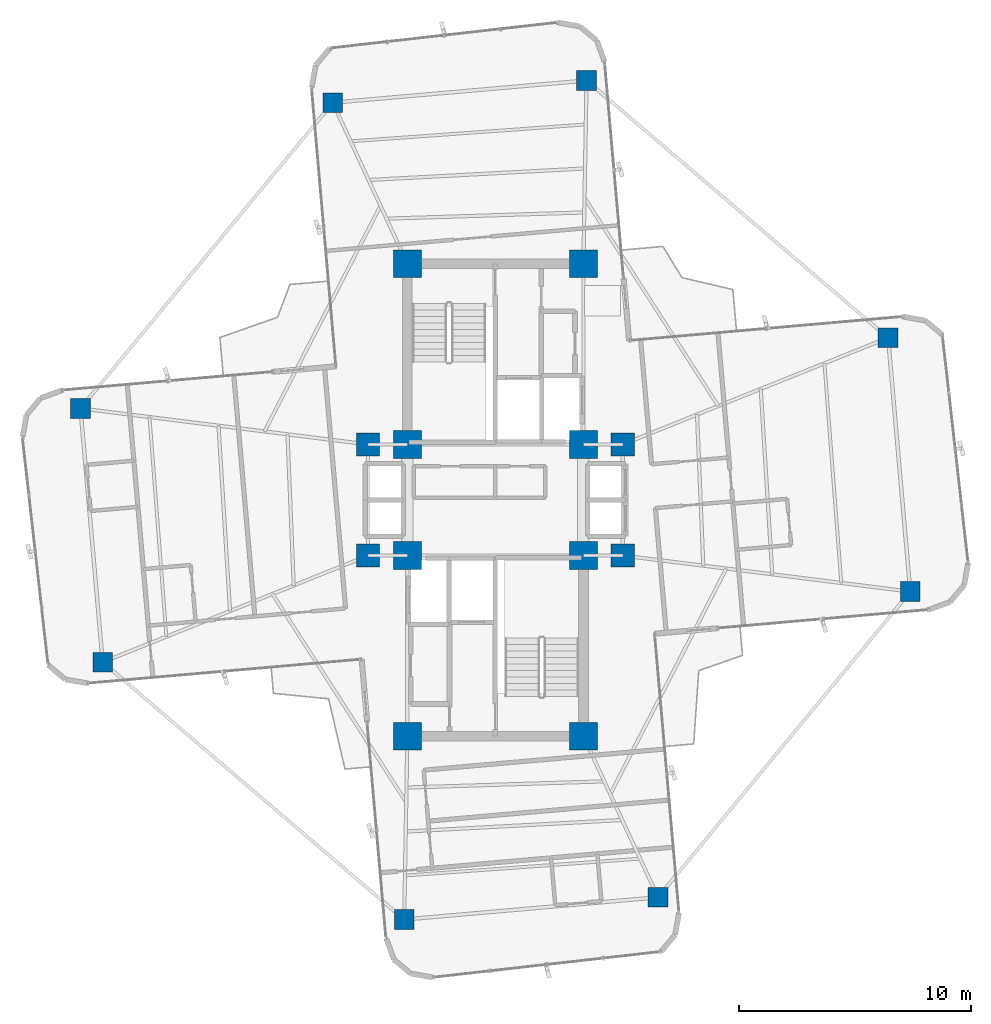
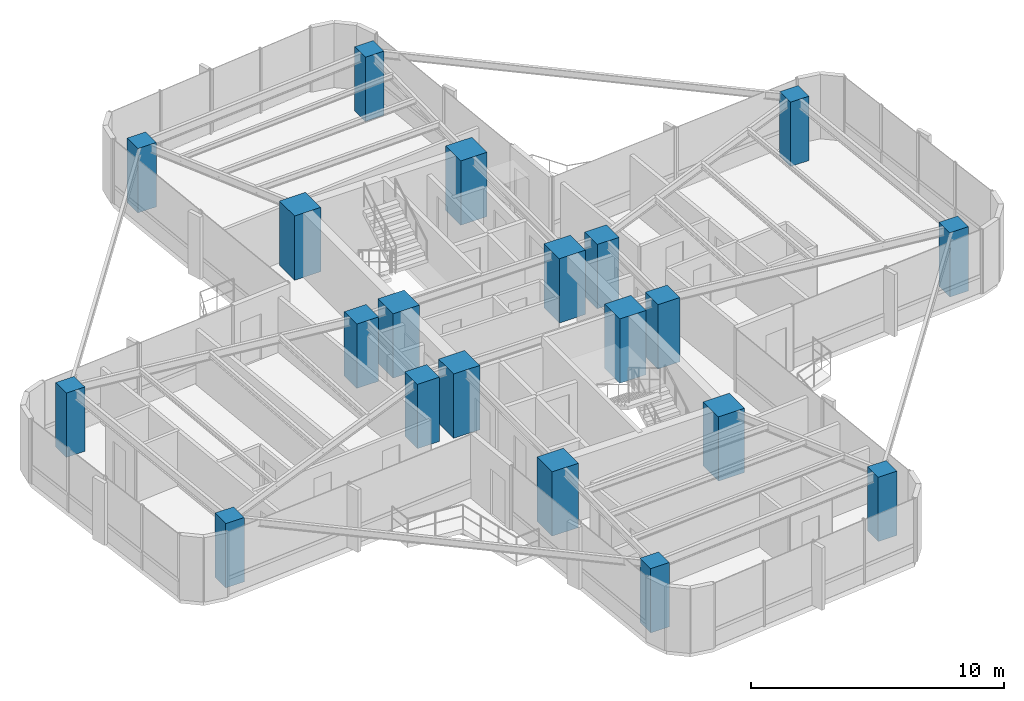
# One storey, part 1 of 24: 20 columns.
"""IFC4 building model written with IfcOpenShell, lengths in metres."""

import ifcopenshell
import ifcopenshell.guid

model = None  # the IFC model being written
_history = None  # IfcOwnerHistory: only IFC2X3 demands one
_inside = {}  # id of a spatial element -> (the spatial element, [elements in it])
_under = {}  # id of a project, library or spatial element -> (it, [spatial elements below it])
_declared = {}  # id of a project -> (the project, [libraries it declares])
_typed = {}  # id of a type object -> (the type object, [elements of that type])
_made_of = {}  # id of a material, layer set ... -> (it, [elements and type objects made of it])


def new_model(schema):
    """Start an empty IFC model of exactly this schema.

    Asked for "IFC4X3", IfcOpenShell would pick the latest addendum, in which some entities
    have other attributes; the version numbers below select the first issue.
    IFC2X3 requires an IfcOwnerHistory on every rooted entity: one is made here for all.
    """
    global model, _history
    if schema == "IFC4X3":
        model = ifcopenshell.file(schema_version=(4, 3, 0, 0))
    else:
        model = ifcopenshell.file(schema=schema)
    _inside.clear()
    _under.clear()
    _declared.clear()
    _typed.clear()
    _made_of.clear()
    _history = None
    if model.schema == "IFC2X3":
        org = make("IfcOrganization", Name="unknown")
        user = make(
            "IfcPersonAndOrganization",
            ThePerson=make("IfcPerson", FamilyName="unknown"),
            TheOrganization=org,
        )
        app = make(
            "IfcApplication",
            ApplicationDeveloper=org,
            Version="unknown",
            ApplicationFullName="unknown",
            ApplicationIdentifier="unknown",
        )
        _history = make(
            "IfcOwnerHistory",
            OwningUser=user,
            OwningApplication=app,
            ChangeAction="ADDED",
            CreationDate=0,
        )
    return model


def make(cls, **values):
    """One entity of the class cls with the attributes given. An attribute that is None is left unset."""
    return model.create_entity(
        cls, **{name: value for name, value in values.items() if value is not None}
    )


def rooted(cls, **values):
    """An entity with a GlobalId (a new one), such as an element, a storey or a relation."""
    return make(cls, GlobalId=ifcopenshell.guid.new(), OwnerHistory=_history, **values)


def si_unit(unit_type, name, prefix=None):
    """IfcSIUnit, for example si_unit("LENGTHUNIT", "METRE", prefix="MILLI")."""
    return make("IfcSIUnit", UnitType=unit_type, Prefix=prefix, Name=name)


def assignment(units):
    """IfcUnitAssignment: the units of a project."""
    return None if units is None else make("IfcUnitAssignment", Units=units)


def point(xyz):
    """IfcCartesianPoint."""
    return None if xyz is None else make("IfcCartesianPoint", Coordinates=xyz)


def direction(xyz):
    """IfcDirection."""
    return None if xyz is None else make("IfcDirection", DirectionRatios=xyz)


def frame(location, z_axis=None, x_axis=None):
    """IfcAxis2Placement3D, a coordinate frame: its origin and axes. An axis left out is left unset."""
    return make(
        "IfcAxis2Placement3D",
        Location=point(location),
        Axis=direction(z_axis),
        RefDirection=direction(x_axis),
    )


def frame_2d(location, x_axis=None):
    """IfcAxis2Placement2D, a coordinate frame in the plane: its origin and x axis."""
    return make(
        "IfcAxis2Placement2D", Location=point(location), RefDirection=direction(x_axis)
    )


def origin():
    """The frame at (0, 0, 0) with its axes left unset."""
    return frame((0.0, 0.0, 0.0))


def origin_2d():
    """The frame at (0, 0) in the plane with its x axis left unset."""
    return frame_2d((0.0, 0.0))


def place(relative_to, where):
    """IfcLocalPlacement: puts the frame where relative to a parent placement (None: the world)."""
    return make(
        "IfcLocalPlacement", PlacementRelTo=relative_to, RelativePlacement=where
    )


def context(
    kind, dimensions, precision=None, world=None, true_north=None, identifier=None
):
    """IfcGeometricRepresentationContext, for example the 3D "Model" context."""
    return make(
        "IfcGeometricRepresentationContext",
        ContextIdentifier=identifier,
        ContextType=kind,
        CoordinateSpaceDimension=dimensions,
        Precision=precision,
        WorldCoordinateSystem=world,
        TrueNorth=true_north,
    )


def subcontext(parent, identifier, kind, view, scale=None):
    """IfcGeometricRepresentationSubContext, for example "Body" below "Model"."""
    return make(
        "IfcGeometricRepresentationSubContext",
        ContextIdentifier=identifier,
        ContextType=kind,
        ParentContext=parent,
        TargetScale=scale,
        TargetView=view,
    )


def project(units=None, contexts=None):
    """IfcProject with its units and contexts."""
    return rooted(
        "IfcProject",
        Name="project",
        RepresentationContexts=contexts,
        UnitsInContext=assignment(units),
    )


def spatial(cls, under=None, at=None, **own):
    """A site, building, storey or space (cls), placed at a placement, below another one or the project."""
    s = rooted(cls, ObjectPlacement=at, **own)
    if under is not None:
        _under.setdefault(under.id(), (under, []))[1].append(s)
    return s


def profile(cls, at=None, kind="AREA", **sizes):
    """A parametric profile (cls). Its sizes go by their IFC names, for example OverallWidth=200.0."""
    return make(cls, ProfileType=kind, Position=at, **sizes)


def rectangle(**sizes):
    """IfcRectangleProfileDef."""
    return profile("IfcRectangleProfileDef", **sizes)


def extrude(swept, where, along, depth):
    """IfcExtrudedAreaSolid: the profile swept, set in the frame where, extruded along a direction by depth."""
    return make(
        "IfcExtrudedAreaSolid",
        SweptArea=swept,
        Position=where,
        ExtrudedDirection=direction(along),
        Depth=depth,
    )


def shape(context_of_items, identifier, shape_type, items):
    """IfcShapeRepresentation: the items that make up one representation, for example the "Body"."""
    return make(
        "IfcShapeRepresentation",
        ContextOfItems=context_of_items,
        RepresentationIdentifier=identifier,
        RepresentationType=shape_type,
        Items=items,
    )


def source(mapping_origin, context_of_items, identifier, shape_type, items):
    """IfcRepresentationMap: a shape defined once, which mapped items show again and again."""
    return make(
        "IfcRepresentationMap",
        MappingOrigin=mapping_origin,
        MappedRepresentation=shape(context_of_items, identifier, shape_type, items),
    )


def transform(
    local_origin,
    x_axis=None,
    y_axis=None,
    z_axis=None,
    scale=None,
    scale2=None,
    scale3=None,
    uniform=True,
):
    """IfcCartesianTransformationOperator3D, or its non-uniform kind. x_axis, y_axis, z_axis: its Axis1, 2, 3."""
    if uniform:
        return make(
            "IfcCartesianTransformationOperator3D",
            Axis1=direction(x_axis),
            Axis2=direction(y_axis),
            LocalOrigin=point(local_origin),
            Scale=scale,
            Axis3=direction(z_axis),
        )
    return make(
        "IfcCartesianTransformationOperator3DnonUniform",
        Axis1=direction(x_axis),
        Axis2=direction(y_axis),
        LocalOrigin=point(local_origin),
        Scale=scale,
        Axis3=direction(z_axis),
        Scale2=scale2,
        Scale3=scale3,
    )


def mapped(mapping_source, mapping_target):
    """IfcMappedItem: shows the shape of a source again, moved by a transform."""
    return make(
        "IfcMappedItem", MappingSource=mapping_source, MappingTarget=mapping_target
    )


def material(Name=None, Category=None):
    """IfcMaterial."""
    return make("IfcMaterial", Name=Name, Category=Category)


def material_profile(
    of_material, cross_section, Name=None, Category=None, Priority=None
):
    """IfcMaterialProfile: a cross section and its material."""
    return make(
        "IfcMaterialProfile",
        Name=Name,
        Material=of_material,
        Profile=cross_section,
        Priority=Priority,
        Category=Category,
    )


def profile_set(profiles, Name=None, composite=None):
    """IfcMaterialProfileSet."""
    return make(
        "IfcMaterialProfileSet",
        Name=Name,
        MaterialProfiles=profiles,
        CompositeProfile=composite,
    )


def made_of(thing, what):
    """Note that an element or type object is made of a material, layer set ...; save() writes the relation."""
    if what is not None:
        _made_of.setdefault(what.id(), (what, []))[1].append(thing)
    return thing


def type_object(cls, material=None, **own):
    """A type object (cls), such as IfcWallType, which elements share."""
    return made_of(rooted(cls, **own), material)


def element(
    cls,
    number,
    at=None,
    inside=None,
    cuts=None,
    type_object=None,
    material=None,
    context=None,
    identifier="Body",
    shape_type=None,
    held_by="IfcProductDefinitionShape",
    body=None,
    shapes=None,
    **own,
):
    """One element of the class cls, such as IfcWall. Its Tag is "e" and its number.

    at: its placement. inside: the storey or other place that contains it. cuts: it is an
    opening in that element (IfcRelVoidsElement). A single representation is given by context,
    identifier, shape_type and body (its items); several are given by shapes. held_by: the class
    of the entity that holds the representations. save() writes the other relations.
    """
    e = rooted(cls, Tag="e%d" % number, ObjectPlacement=at, **own)
    if body is not None:
        shapes = [shape(context, identifier, shape_type, body)]
    if shapes is not None:
        e.Representation = make(held_by, Representations=shapes)
    if inside is not None:
        _inside.setdefault(inside.id(), (inside, []))[1].append(e)
    if cuts is not None:
        rooted(
            "IfcRelVoidsElement", RelatingBuildingElement=cuts, RelatedOpeningElement=e
        )
    if type_object is not None:
        _typed.setdefault(type_object.id(), (type_object, []))[1].append(e)
    return made_of(e, material)


def aggregate(whole, parts):
    """IfcRelAggregates: a whole, such as a stair, and the parts it consists of."""
    return rooted("IfcRelAggregates", RelatingObject=whole, RelatedObjects=parts)


def save(model, path):
    """Write the relations noted so far, then the file.

    IfcRelAggregates (storeys below a building ...), IfcRelContainedInSpatialStructure (elements
    in a storey), IfcRelDefinesByType, IfcRelAssociatesMaterial and IfcRelDeclares: one each for
    every whole, place, type object, material and project.
    """
    for whole, parts in _under.values():
        aggregate(whole, parts)
    for where, things in _inside.values():
        rooted(
            "IfcRelContainedInSpatialStructure",
            RelatedElements=things,
            RelatingStructure=where,
        )
    for kind, things in _typed.values():
        rooted("IfcRelDefinesByType", RelatedObjects=things, RelatingType=kind)
    for what, things in _made_of.values():
        rooted("IfcRelAssociatesMaterial", RelatedObjects=things, RelatingMaterial=what)
    for by, libraries in _declared.values():
        rooted("IfcRelDeclares", RelatingContext=by, RelatedDefinitions=libraries)
    model.write(path)


model = new_model("IFC4")

# Units and contexts
model_context = context("Model", 3, precision=1e-05, world=origin(), true_north=direction((0.0, 1.0)))
body_context = subcontext(model_context, "Body", "Model", "MODEL_VIEW")
ifc_project = project(units=[si_unit("LENGTHUNIT", "METRE"), si_unit("AREAUNIT", "SQUARE_METRE"), si_unit("VOLUMEUNIT", "CUBIC_METRE"), si_unit("PLANEANGLEUNIT", "RADIAN"), si_unit("MASSUNIT", "GRAM", prefix="KILO")], contexts=[model_context])

# Site, building, storey
site_placement = place(None, origin())
site = spatial("IfcSite", under=ifc_project, at=site_placement, CompositionType="ELEMENT")
building_placement = place(site_placement, origin())
building = spatial("IfcBuilding", under=site, at=building_placement, Name="Sahyath Konkavel Grand Hotel", CompositionType="ELEMENT")
storey_placement = place(building_placement, frame((0.0, 0.0, 147.25)))
storey = spatial("IfcBuildingStorey", under=building, at=storey_placement, Name="L40", CompositionType="ELEMENT", Elevation=147.25)

# Columns
ifc_material_1 = material(Name="Concrete C50/60", Category="concrete")
ifc_material_profile_1 = material_profile(ifc_material_1, rectangle(XDim=1.199951171875, YDim=1.199951171875, at=origin_2d()), Name="RC 1200x1200")
ifc_profile_set_1 = profile_set([ifc_material_profile_1], Name="Concrete C50/60")
column_type_1 = type_object("IfcColumnType", Name="COL-RC1200", PredefinedType="COLUMN", material=ifc_profile_set_1)
shared_shape_1 = source(origin(), body_context, "Body", "SweptSolid", [
    extrude(rectangle(XDim=1.199951171875, YDim=1.199951171875, at=origin_2d()), origin(), (0.0, 0.0, 1.0), 3.110107421875),
])
for number, where, z_axis, x_axis, name in (
    (1, (-3.800048828125, 2.39990234375, 0.0), (0.0, 0.0, 1.0), (1.0, 0.0, 0.0), "L40 Core Boundary Column NC-SW"),
    (2, (3.800048828125, 2.39990234375, 0.0), (0.0, 0.0, 1.0), (1.0, 0.0, 0.0), "L40 Core Boundary Column NC-SE"),
    (3, (-3.800048828125, 10.199951171875, 0.0), (0.0, 0.0, 1.0), (1.0, 0.0, 0.0), "L40 Core Boundary Column NC-NW"),
    (4, (3.800048828125, 10.199951171875, 0.0), (0.0, 0.0, 1.0), (1.0, 0.0, 0.0), "L40 Core Boundary Column NC-NE"),
    (5, (-3.800048828125, -2.39990234375, 0.0), (0.0, 0.0, 1.0), (1.0, 0.0, 0.0), "L40 Core Boundary Column SC-NW"),
    (6, (3.800048828125, -2.39990234375, 0.0), (0.0, 0.0, 1.0), (1.0, 0.0, 0.0), "L40 Core Boundary Column SC-NE"),
    (7, (-3.800048828125, -10.199951171875, 0.0), (0.0, 0.0, 1.0), (1.0, 0.0, 0.0), "L40 Core Boundary Column SC-SW"),
    (8, (3.800048828125, -10.199951171875, 0.0), (0.0, 0.0, 1.0), (1.0, 0.0, 0.0), "L40 Core Boundary Column SC-SE"),
):
    element("IfcColumn", number, at=place(storey_placement, frame(where, z_axis=z_axis, x_axis=x_axis)), inside=storey, type_object=column_type_1, Name=name, PredefinedType="COLUMN", context=body_context, shape_type="MappedRepresentation", body=[
        mapped(shared_shape_1, transform((0.0, 0.0, 0.0), scale=1.0)),
    ])
ifc_material_profile_2 = material_profile(ifc_material_1, rectangle(XDim=1.0, YDim=1.0, at=origin_2d()), Name="RC 1000x1000")
ifc_profile_set_2 = profile_set([ifc_material_profile_2], Name="Concrete C50/60")
column_type_2 = type_object("IfcColumnType", Name="COL-RC1000", PredefinedType="COLUMN", material=ifc_profile_set_2)
shared_shape_2 = source(origin(), body_context, "Body", "SweptSolid", [
    extrude(rectangle(XDim=1.0, YDim=1.0, at=origin_2d()), origin(), (0.0, 0.0, 1.0), 3.110107421875),
])
for number, where, z_axis, x_axis, name in (
    (9, (5.5, 2.39990234375, 0.0), (0.0, 0.0, 1.0), (1.0, 0.0, 0.0), "L40 Central Spine Column HB-NE"),
    (10, (-5.5, 2.39990234375, 0.0), (0.0, 0.0, 1.0), (1.0, 0.0, 0.0), "L40 Central Spine Column HB-NW"),
    (11, (5.5, -2.39990234375, 0.0), (0.0, 0.0, 1.0), (1.0, 0.0, 0.0), "L40 Central Spine Column HB-SE"),
    (12, (-5.5, -2.39990234375, 0.0), (0.0, 0.0, 1.0), (1.0, 0.0, 0.0), "L40 Central Spine Column HB-SW"),
):
    element("IfcColumn", number, at=place(storey_placement, frame(where, z_axis=z_axis, x_axis=x_axis)), inside=storey, type_object=column_type_2, Name=name, PredefinedType="COLUMN", context=body_context, shape_type="MappedRepresentation", body=[
        mapped(shared_shape_2, transform((0.0, 0.0, 0.0), scale=1.0)),
    ])
ifc_material_2 = material(Name="Concrete C40/50", Category="concrete")
ifc_material_profile_3 = material_profile(ifc_material_2, rectangle(XDim=0.85009765625, YDim=0.85009765625, at=origin_2d()), Name="RC 850x850")
ifc_profile_set_3 = profile_set([ifc_material_profile_3], Name="Concrete C40/50")
column_type_3 = type_object("IfcColumnType", Name="COL-RC850", PredefinedType="COLUMN", material=ifc_profile_set_3)
shared_shape_3 = source(origin(), body_context, "Body", "SweptSolid", [
    extrude(rectangle(XDim=0.85009765625, YDim=0.85009765625, at=origin_2d()), origin(), (0.0, 0.0, 1.0), 3.110107421875),
])
for number, where, z_axis, x_axis, name in (
    (13, (17.912841796875, -3.953857421875, 0.0), (0.0, 0.0, 1.0), (1.0, 0.0, 0.0), "L40 Cruciform Wing Column WC-EA"),
    (14, (16.9541015625, 7.00439453125, 0.0), (0.0, 0.0, 1.0), (1.0, 0.0, 0.0), "L40 Cruciform Wing Column WC-EB"),
    (15, (3.936279296875, 18.112060546875, 0.0), (0.0, 0.0, 1.0), (1.0, 0.0, 0.0), "L40 Cruciform Wing Column WC-NA"),
    (16, (-7.021728515625, 17.1533203125, 0.0), (0.0, 0.0, 1.0), (1.0, 0.0, 0.0), "L40 Cruciform Wing Column WC-NB"),
    (17, (-17.912841796875, 3.953857421875, 0.0), (0.0, 0.0, 1.0), (1.0, 0.0, 0.0), "L40 Cruciform Wing Column WC-WA"),
    (18, (-16.9541015625, -7.00439453125, 0.0), (0.0, 0.0, 1.0), (1.0, 0.0, 0.0), "L40 Cruciform Wing Column WC-WB"),
    (19, (-3.936279296875, -18.112060546875, 0.0), (0.0, 0.0, 1.0), (1.0, 0.0, 0.0), "L40 Cruciform Wing Column WC-SA"),
    (20, (7.021728515625, -17.1533203125, 0.0), (0.0, 0.0, 1.0), (1.0, 0.0, 0.0), "L40 Cruciform Wing Column WC-SB"),
):
    element("IfcColumn", number, at=place(storey_placement, frame(where, z_axis=z_axis, x_axis=x_axis)), inside=storey, type_object=column_type_3, Name=name, PredefinedType="COLUMN", context=body_context, shape_type="MappedRepresentation", body=[
        mapped(shared_shape_3, transform((0.0, 0.0, 0.0), scale=1.0)),
    ])

save(model, "model.ifc")
